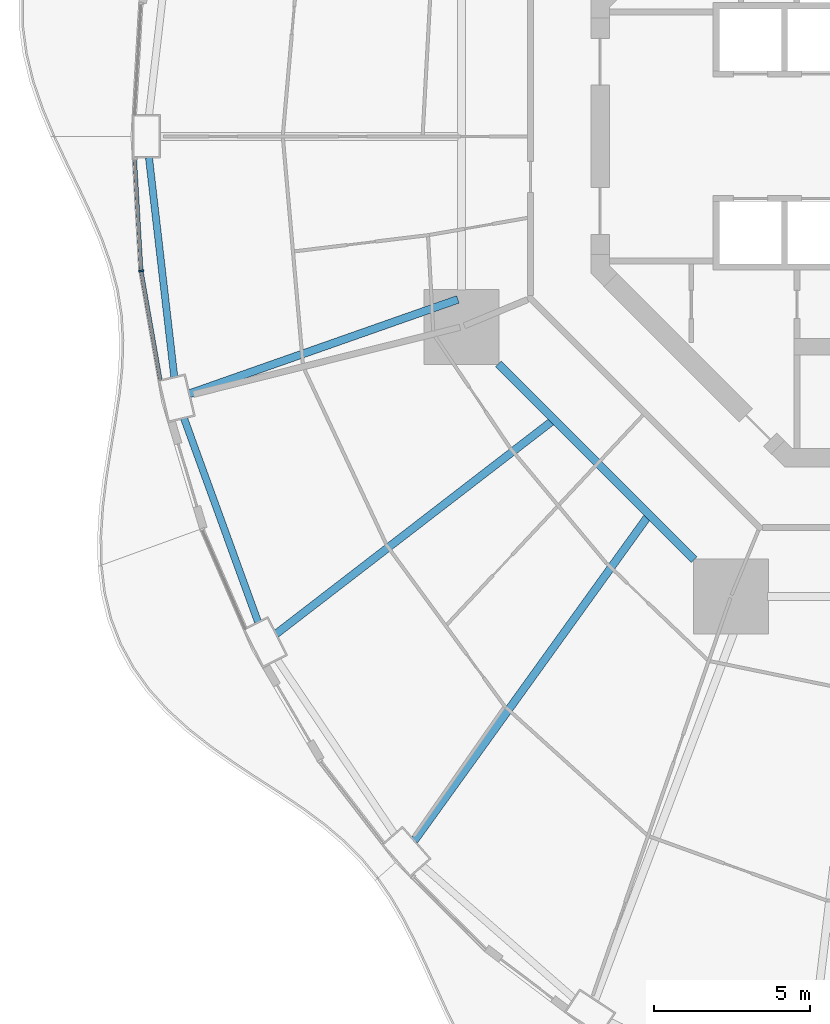
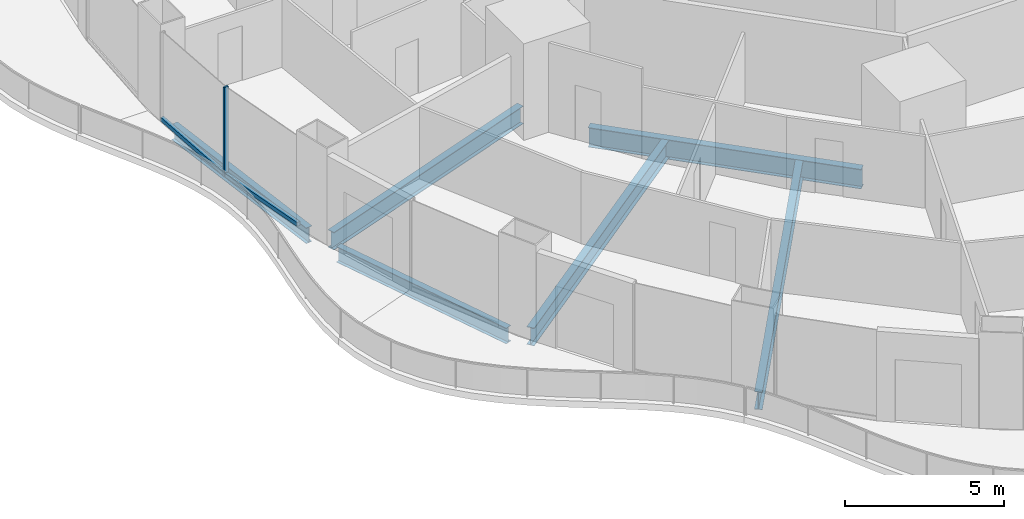
# One storey, part 3 of 21: 6 beams, 3 members, 2 elements without a shape of their own.
"""IFC4 building model written with IfcOpenShell, lengths in metres."""

from ifc_helpers import new_model, si_unit, direction, frame, origin, origin_2d, place, context, subcontext, project, spatial, rectangle, i_section, extrude, material, layer, layer_set, material_profile, profile_set, type_object, element, aggregate, save


model = new_model("IFC4")

# Units and contexts
model_context = context("Model", 3, precision=1e-05, world=origin(), true_north=direction((0.0, 1.0)))
body_context = subcontext(model_context, "Body", "Model", "MODEL_VIEW")
ifc_project = project(units=[si_unit("LENGTHUNIT", "METRE"), si_unit("AREAUNIT", "SQUARE_METRE"), si_unit("VOLUMEUNIT", "CUBIC_METRE"), si_unit("PLANEANGLEUNIT", "RADIAN"), si_unit("MASSUNIT", "GRAM", prefix="KILO")], contexts=[model_context])

# Site, building, storey
site_placement = place(None, origin())
site = spatial("IfcSite", under=ifc_project, at=site_placement, CompositionType="ELEMENT")
building_placement = place(site_placement, origin())
building = spatial("IfcBuilding", under=site, at=building_placement, Name="Nagisa Residences", CompositionType="ELEMENT")
storey_placement = place(building_placement, frame((0.0, 0.0, 60.300048828125)))
storey = spatial("IfcBuildingStorey", under=building, at=storey_placement, Name="L14", CompositionType="ELEMENT", Elevation=60.300048828125)

# Curtain wall, member
ifc_material_1 = material(Name="Concrete-coloured aluminium curtain wall system", Category="concrete")
ifc_layer = layer(ifc_material_1, 0.159912109375)
ifc_layer_set = layer_set([ifc_layer], Name="CW1 CURTAIN WALL")
curtain_wall_type = type_object("IfcCurtainWallType", Name="CW1 CURTAIN WALL", PredefinedType="NOTDEFINED", material=ifc_layer_set)
curtain_wall_1_placement = place(storey_placement, origin())
curtain_wall_1 = element("IfcCurtainWall", 1, at=curtain_wall_1_placement, inside=storey, type_object=curtain_wall_type, Name="cw:CW1:L14:25", PredefinedType="NOTDEFINED")
ifc_material_2 = material(Name="Concrete-coloured aluminium", Category="concrete")
ifc_material_profile_1 = material_profile(ifc_material_2, rectangle(XDim=0.159912109375, YDim=0.06005859375, at=origin_2d()), Name="CW1 MULLION 160x60")
ifc_profile_set_1 = profile_set([ifc_material_profile_1], Name="Concrete-coloured aluminium")
member_type_1 = type_object("IfcMemberType", Name="CW1 MULLION 160x60", PredefinedType="MULLION", material=ifc_profile_set_1)
member_1_placement = place(storey_placement, frame((-25.06787109375, -4.3232421875, 0.0), z_axis=(0.0, 0.0, 1.0), x_axis=(0.985063604377, 0.172190868898, 0.0)))
member_1 = element("IfcMember", 2, at=member_1_placement, type_object=member_type_1, Name="CW1 mullion", PredefinedType="MULLION", context=body_context, shape_type="SweptSolid", body=[
    extrude(rectangle(XDim=0.159912109375, YDim=0.06005859375, at=origin_2d()), origin(), (0.0, 0.0, 1.0), 3.43994140625),
])

curtain_wall_2_placement = place(storey_placement, origin())
curtain_wall_2 = element("IfcCurtainWall", 3, at=curtain_wall_2_placement, inside=storey, type_object=curtain_wall_type, Name="cw:CW1:L14:24", PredefinedType="NOTDEFINED")
ifc_material_3 = material(Name="Concrete-coloured aluminium", Category="concrete")
ifc_material_profile_2 = material_profile(ifc_material_3, rectangle(XDim=0.1201171875, YDim=0.14990234375, at=origin_2d()), Name="CW1 TRANSOM 120x150")
ifc_profile_set_2 = profile_set([ifc_material_profile_2], Name="Concrete-coloured aluminium")
member_type_2 = type_object("IfcMemberType", Name="CW1 TRANSOM 120x150", PredefinedType="USERDEFINED", material=ifc_profile_set_2)
member_2_placement = place(storey_placement, frame((-25.27978515625, -0.6943359375, 0.074951171875), z_axis=(0.057482603412, -0.998346508135, 0.0), x_axis=(0.998346508135, 0.057482603412, 0.0)))
member_2 = element("IfcMember", 4, at=member_2_placement, type_object=member_type_2, Name="CW1 transom", ObjectType="TRANSOM", PredefinedType="USERDEFINED", context=body_context, shape_type="SweptSolid", body=[
    extrude(rectangle(XDim=0.1201171875, YDim=0.14990234375, at=origin_2d()), origin(), (0.0, 0.0, 1.0), 3.6142578125),
])
aggregate(curtain_wall_2, [member_2])

# Member
member_3_placement = place(storey_placement, frame((-25.072998046875, -4.293701171875, 0.074951171875), z_axis=(0.172163041068, -0.985068468326, 0.0), x_axis=(0.985068468326, 0.172163041068, 0.0)))
member_3 = element("IfcMember", 5, at=member_3_placement, type_object=member_type_2, Name="CW1 transom", ObjectType="TRANSOM", PredefinedType="USERDEFINED", context=body_context, shape_type="SweptSolid", body=[
    extrude(rectangle(XDim=0.1201171875, YDim=0.14990234375, at=origin_2d()), origin(), (0.0, 0.0, 1.0), 3.59765625),
])

aggregate(curtain_wall_1, [member_1, member_3])

# Beams
ifc_material_4 = material(Name="Steel ASTM A572 Gr 50", Category="steel")
ifc_material_profile_3 = material_profile(ifc_material_4, i_section(OverallWidth=0.264892578125, OverallDepth=0.7529296875, WebThickness=0.01318359375, FlangeThickness=0.01708984375, at=origin_2d()), Name="W760x147")
ifc_profile_set_3 = profile_set([ifc_material_profile_3], Name="Steel ASTM A572 Gr 50")
beam_type_1 = type_object("IfcBeamType", Name="Inner ring beam W760x147", PredefinedType="BEAM", material=ifc_profile_set_3)
beam_1_placement = place(storey_placement, frame((-13.59619140625, -7.308837890625, -0.636474609375), z_axis=(0.707106781187, -0.707106781187, 0.0), x_axis=(0.707106781187, 0.707106781187, 0.0)))
element("IfcBeam", 6, at=beam_1_placement, inside=storey, type_object=beam_type_1, Name="beam:L14:ib5", PredefinedType="BEAM", context=body_context, shape_type="SweptSolid", body=[
    extrude(i_section(OverallWidth=0.264892578125, OverallDepth=0.7529296875, WebThickness=0.01318359375, FlangeThickness=0.01708984375, at=origin_2d()), origin(), (0.0, 0.0, 1.0), 8.8916015625),
])
ifc_material_5 = material(Name="Steel ASTM A572 Gr 50", Category="steel")
ifc_material_profile_4 = material_profile(ifc_material_5, i_section(OverallWidth=0.22802734375, OverallDepth=0.60302734375, WebThickness=0.010498046875, FlangeThickness=0.014892578125, at=origin_2d()), Name="W610x101")
ifc_profile_set_4 = profile_set([ifc_material_profile_4], Name="Steel ASTM A572 Gr 50")
beam_type_2 = type_object("IfcBeamType", Name="Perimeter ring beam W610x101", PredefinedType="BEAM", material=ifc_profile_set_4)
beam_2_placement = place(storey_placement, frame((-24.821533203125, -0.68017578125, -0.5615234375), z_axis=(0.114707660057, -0.993399291687, 0.0), x_axis=(0.993399291687, 0.114707660057, 0.0)))
element("IfcBeam", 7, at=beam_2_placement, inside=storey, type_object=beam_type_2, Name="beam:L14:pb13", PredefinedType="BEAM", context=body_context, shape_type="SweptSolid", body=[
    extrude(i_section(OverallWidth=0.22802734375, OverallDepth=0.60302734375, WebThickness=0.010498046875, FlangeThickness=0.014892578125, at=origin_2d()), origin(), (0.0, 0.0, 1.0), 7.09814453125),
])
beam_3_placement = place(storey_placement, frame((-23.695068359375, -9.055419921875, -0.5615234375), z_axis=(0.341411143183, -0.939914055279, 0.0), x_axis=(0.939914055279, 0.341411143183, 0.0)))
element("IfcBeam", 8, at=beam_3_placement, inside=storey, type_object=beam_type_2, Name="beam:L14:pb14", PredefinedType="BEAM", context=body_context, shape_type="SweptSolid", body=[
    extrude(i_section(OverallWidth=0.22802734375, OverallDepth=0.60302734375, WebThickness=0.010498046875, FlangeThickness=0.014892578125, at=origin_2d()), origin(), (0.0, 0.0, 1.0), 6.96923828125),
])
ifc_material_6 = material(Name="Steel ASTM A572 Gr 50", Category="steel")
ifc_material_profile_5 = material_profile(ifc_material_6, i_section(OverallWidth=0.25390625, OverallDepth=0.68408203125, WebThickness=0.012451171875, FlangeThickness=0.018798828125, at=origin_2d()), Name="W690x140")
ifc_profile_set_5 = profile_set([ifc_material_profile_5], Name="Steel ASTM A572 Gr 50")
beam_type_3 = type_object("IfcBeamType", Name="Radial beam W690x140", PredefinedType="BEAM", material=ifc_profile_set_5)
beam_4_placement = place(storey_placement, frame((-23.520751953125, -8.26806640625, -0.60205078125), z_axis=(0.943414535235, 0.331615763659, 0.0), x_axis=(-0.331615763659, 0.943414535235, 0.0)))
element("IfcBeam", 9, at=beam_4_placement, inside=storey, type_object=beam_type_3, Name="beam:L14:rb14", PredefinedType="BEAM", context=body_context, shape_type="SweptSolid", body=[
    extrude(i_section(OverallWidth=0.25390625, OverallDepth=0.68408203125, WebThickness=0.012451171875, FlangeThickness=0.018798828125, at=origin_2d()), origin(), (0.0, 0.0, 1.0), 9.142333984375),
])
beam_5_placement = place(storey_placement, frame((-20.73486328125, -15.982666015625, -0.60205078125), z_axis=(0.792016146736, 0.610500141941, 0.0), x_axis=(-0.610500141941, 0.792016146736, 0.0)))
element("IfcBeam", 10, at=beam_5_placement, inside=storey, type_object=beam_type_3, Name="beam:L14:rb15", PredefinedType="BEAM", context=body_context, shape_type="SweptSolid", body=[
    extrude(i_section(OverallWidth=0.25390625, OverallDepth=0.68408203125, WebThickness=0.012451171875, FlangeThickness=0.018798828125, at=origin_2d()), origin(), (0.0, 0.0, 1.0), 11.160888671875),
])
beam_6_placement = place(storey_placement, frame((-16.29443359375, -22.62255859375, -0.60205078125), z_axis=(0.58445507622, 0.811426068031, 0.0), x_axis=(-0.811426068031, 0.58445507622, 0.0)))
element("IfcBeam", 11, at=beam_6_placement, inside=storey, type_object=beam_type_3, Name="beam:L14:rb16", PredefinedType="BEAM", context=body_context, shape_type="SweptSolid", body=[
    extrude(i_section(OverallWidth=0.25390625, OverallDepth=0.68408203125, WebThickness=0.012451171875, FlangeThickness=0.018798828125, at=origin_2d()), origin(), (0.0, 0.0, 1.0), 12.78955078125),
])

save(model, "model.ifc")
